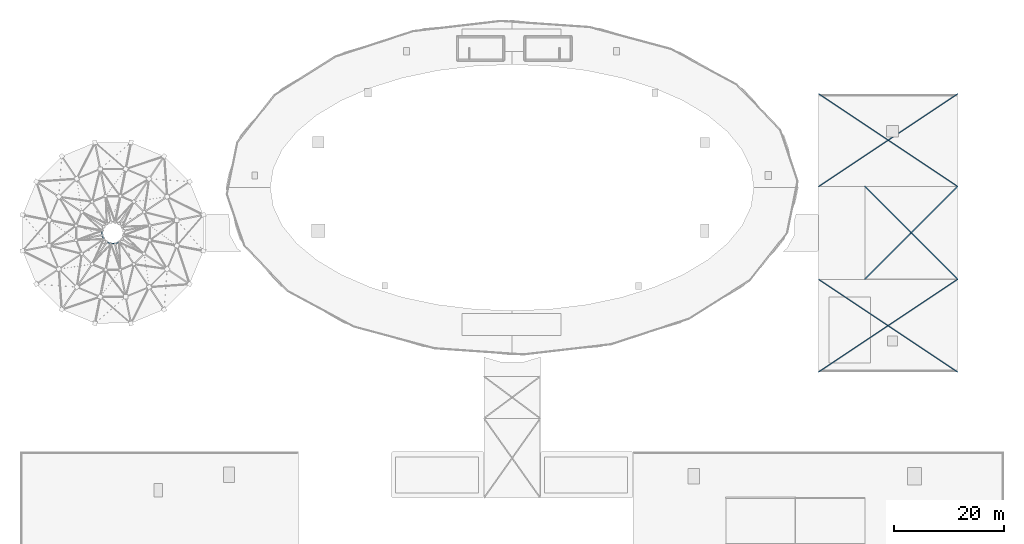
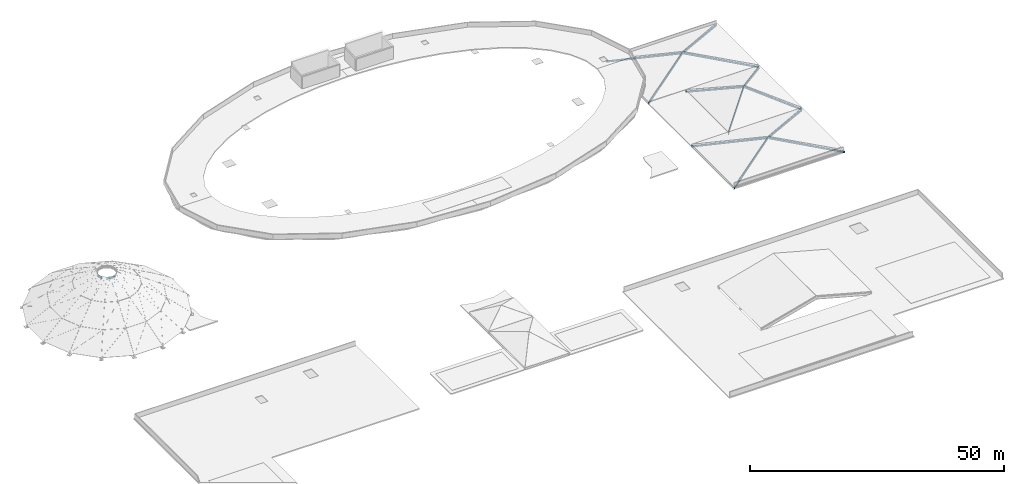
# One storey, part 4 of 11: 12 members, 5 beams.
"""IFC4 building model written with IfcOpenShell, lengths in metres."""

from ifc_helpers import new_model, si_unit, direction, frame, origin, origin_2d, place, context, subcontext, project, spatial, i_section, extrude, material, material_profile, profile_set, type_object, element, save


model = new_model("IFC4")

# Units and contexts
model_context = context("Model", 3, precision=1e-05, world=origin(), true_north=direction((0.0, 1.0)))
body_context = subcontext(model_context, "Body", "Model", "MODEL_VIEW")
ifc_project = project(units=[si_unit("LENGTHUNIT", "METRE"), si_unit("AREAUNIT", "SQUARE_METRE"), si_unit("VOLUMEUNIT", "CUBIC_METRE"), si_unit("PLANEANGLEUNIT", "RADIAN"), si_unit("MASSUNIT", "GRAM", prefix="KILO"), si_unit("THERMODYNAMICTEMPERATUREUNIT", "KELVIN"), si_unit("POWERUNIT", "WATT")], contexts=[model_context])

# Site, building, storey
site_placement = place(None, origin())
site = spatial("IfcSite", under=ifc_project, at=site_placement, CompositionType="ELEMENT")
building_placement = place(site_placement, origin())
building = spatial("IfcBuilding", under=site, at=building_placement, Name="Darbajah Civic Hall", CompositionType="ELEMENT")
storey_placement = place(building_placement, frame((0.0, 0.0, 30.60009765625)))
storey = spatial("IfcBuildingStorey", under=building, at=storey_placement, Name="ROOF", CompositionType="ELEMENT", Elevation=30.60009765625)

# Members
ifc_material = material(Name="Steel S355JR", Category="steel")
ifc_material_profile_1 = material_profile(ifc_material, i_section(OverallWidth=0.177978515625, OverallDepth=0.406494140625, WebThickness=0.0078125, FlangeThickness=0.0126953125, FilletRadius=0.01025390625, at=origin_2d()), Name="UB 406x178x60")
ifc_profile_set_1 = profile_set([ifc_material_profile_1], Name="Steel S355JR")
member_type = type_object("IfcMemberType", Name="Roof Rafter UB 406x178x60", PredefinedType="RAFTER", material=ifc_profile_set_1)
for number, where, z_axis, x_axis, name in (
    (1, (153.0, 73.199951171875, -12.72021484375), (0.681000274436, 0.681020067504, 0.269165922573), (-0.707117056885, 0.707096505339, 0.0), "Lantern hip roof rafter V4-MAIN-1"),
    (2, (169.800048828125, 73.199951171875, -12.72021484375), (-0.681010888029, 0.681010888029, 0.269162294484), (-0.707106781187, -0.707106781187, 0.0), "Lantern hip roof rafter V4-MAIN-2"),
    (3, (169.800048828125, 90.0, -12.72021484375), (-0.681020067504, -0.681000274436, 0.269165922573), (0.707096505339, -0.707117056885, 0.0), "Lantern hip roof rafter V4-MAIN-3"),
):
    element("IfcMember", number, at=place(storey_placement, frame(where, z_axis=z_axis, x_axis=x_axis)), inside=storey, type_object=member_type, Name=name, PredefinedType="RAFTER", context=body_context, shape_type="SweptSolid", body=[
        extrude(i_section(OverallWidth=0.177978515625, OverallDepth=0.406494140625, WebThickness=0.0078125, FlangeThickness=0.0126953125, FilletRadius=0.01025390625, at=origin_2d()), origin(), (0.0, 0.0, 1.0), 12.334716796875),
    ])
member_1_placement = place(storey_placement, frame((153.0, 90.0, -12.72021484375), z_axis=(0.681009454015, -0.681009454015, 0.26916955081), x_axis=(0.707106781187, 0.707106781187, 0.0)))
element("IfcMember", 4, at=member_1_placement, inside=storey, type_object=member_type, Name="Lantern hip roof rafter V4-MAIN-4", PredefinedType="RAFTER", context=body_context, shape_type="SweptSolid", body=[
    extrude(i_section(OverallWidth=0.177978515625, OverallDepth=0.406494140625, WebThickness=0.0078125, FlangeThickness=0.0126953125, FilletRadius=0.01025390625, at=origin_2d()), origin(), (0.0, 0.0, 1.0), 12.33447265625),
])
member_2_placement = place(storey_placement, frame((144.60009765625, 90.0, -12.72021484375), z_axis=(0.818942305462, 0.545961536975, 0.176803564639), x_axis=(-0.554700196225, 0.832050294338, 0.0)))
element("IfcMember", 5, at=member_2_placement, inside=storey, type_object=member_type, Name="Lantern hip roof rafter V4-NORTH-1", PredefinedType="RAFTER", context=body_context, shape_type="SweptSolid", body=[
    extrude(i_section(OverallWidth=0.177978515625, OverallDepth=0.406494140625, WebThickness=0.0078125, FlangeThickness=0.0126953125, FilletRadius=0.01025390625, at=origin_2d()), origin(), (0.0, 0.0, 1.0), 15.385498046875),
])
for number, where, z_axis, x_axis, name in (
    (6, (169.800048828125, 90.0, -12.72021484375), (-0.818947531292, 0.545954442194, 0.176801267073), (-0.55469275529, -0.832055254913, 0.0), "Lantern hip roof rafter V4-NORTH-2"),
    (7, (169.800048828125, 106.800048828125, -12.72021484375), (-0.81894043657, -0.545965580335, 0.176799735405), (0.554703916643, -0.832047814047, 0.0), "Lantern hip roof rafter V4-NORTH-3"),
    (8, (144.60009765625, 106.800048828125, -12.72021484375), (0.818935210601, -0.545972675137, 0.176802032911), (0.554711357594, 0.832042853317, 0.0), "Lantern hip roof rafter V4-NORTH-4"),
    (9, (144.60009765625, 56.39990234375, -12.72021484375), (0.818935210601, 0.545972675137, 0.176802032911), (-0.554711357594, 0.832042853317, 0.0), "Lantern hip roof rafter V4-SOUTH-1"),
    (10, (169.800048828125, 56.39990234375, -12.72021484375), (-0.81894043657, 0.545965580335, 0.176799735405), (-0.554703916643, -0.832047814047, 0.0), "Lantern hip roof rafter V4-SOUTH-2"),
    (11, (169.800048828125, 73.199951171875, -12.72021484375), (-0.818947531292, -0.545954442194, 0.176801267073), (0.55469275529, -0.832055254913, 0.0), "Lantern hip roof rafter V4-SOUTH-3"),
):
    element("IfcMember", number, at=place(storey_placement, frame(where, z_axis=z_axis, x_axis=x_axis)), inside=storey, type_object=member_type, Name=name, PredefinedType="RAFTER", context=body_context, shape_type="SweptSolid", body=[
        extrude(i_section(OverallWidth=0.177978515625, OverallDepth=0.406494140625, WebThickness=0.0078125, FlangeThickness=0.0126953125, FilletRadius=0.01025390625, at=origin_2d()), origin(), (0.0, 0.0, 1.0), 15.3857421875),
    ])
member_3_placement = place(storey_placement, frame((144.60009765625, 73.199951171875, -12.72021484375), z_axis=(0.818942305462, -0.545961536975, 0.176803564639), x_axis=(0.554700196225, 0.832050294338, 0.0)))
element("IfcMember", 12, at=member_3_placement, inside=storey, type_object=member_type, Name="Lantern hip roof rafter V4-SOUTH-4", PredefinedType="RAFTER", context=body_context, shape_type="SweptSolid", body=[
    extrude(i_section(OverallWidth=0.177978515625, OverallDepth=0.406494140625, WebThickness=0.0078125, FlangeThickness=0.0126953125, FilletRadius=0.01025390625, at=origin_2d()), origin(), (0.0, 0.0, 1.0), 15.385498046875),
])

# Beams
ifc_material_profile_2 = material_profile(ifc_material, i_section(OverallWidth=0.1904296875, OverallDepth=0.45703125, WebThickness=0.009033203125, FlangeThickness=0.014404296875, FilletRadius=0.01025390625, at=origin_2d()), Name="UB 457x191x74")
ifc_profile_set_2 = profile_set([ifc_material_profile_2], Name="Steel S355JR")
beam_type = type_object("IfcBeamType", Name="UB 457x191x74", PredefinedType="BEAM", material=ifc_profile_set_2)
for number, where, z_axis, x_axis, name in (
    (13, (14.83837890625, 81.97021484375, -3.400146484375), (0.0, -1.0, 0.0), (1.0, 0.0, 0.0), "Dome Crown Compression Ring segment 8"),
    (14, (14.84619140625, 81.19140625, -3.400146484375), (0.382507120164, -0.923952543707, 0.0), (0.923952543707, 0.382507120164, 0.0), "Dome Crown Compression Ring segment 9"),
):
    element("IfcBeam", number, at=place(storey_placement, frame(where, z_axis=z_axis, x_axis=x_axis)), inside=storey, type_object=beam_type, Name=name, PredefinedType="BEAM", context=body_context, shape_type="SweptSolid", body=[
        extrude(i_section(OverallWidth=0.1904296875, OverallDepth=0.45703125, WebThickness=0.009033203125, FlangeThickness=0.014404296875, FilletRadius=0.01025390625, at=origin_2d()), origin(), (0.0, 0.0, 1.0), 0.740478515625),
    ])
beam_1_placement = place(storey_placement, frame((15.70751953125, 79.929443359375, -3.400146484375), z_axis=(0.92378764376, -0.382905196146, 0.0), x_axis=(0.382905196146, 0.92378764376, 0.0)))
element("IfcBeam", 15, at=beam_1_placement, inside=storey, type_object=beam_type, Name="Dome Crown Compression Ring segment 11", PredefinedType="BEAM", context=body_context, shape_type="SweptSolid", body=[
    extrude(i_section(OverallWidth=0.1904296875, OverallDepth=0.45703125, WebThickness=0.009033203125, FlangeThickness=0.014404296875, FilletRadius=0.01025390625, at=origin_2d()), origin(), (0.0, 0.0, 1.0), 0.740234375),
])
beam_2_placement = place(storey_placement, frame((16.4296875, 79.638427734375, -3.400146484375), z_axis=(1.0, 0.0, 0.0), x_axis=(0.0, 1.0, 0.0)))
element("IfcBeam", 16, at=beam_2_placement, inside=storey, type_object=beam_type, Name="Dome Crown Compression Ring segment 12", PredefinedType="BEAM", context=body_context, shape_type="SweptSolid", body=[
    extrude(i_section(OverallWidth=0.1904296875, OverallDepth=0.45703125, WebThickness=0.009033203125, FlangeThickness=0.014404296875, FilletRadius=0.01025390625, at=origin_2d()), origin(), (0.0, 0.0, 1.0), 0.740478515625),
])
beam_3_placement = place(storey_placement, frame((17.208740234375, 79.64599609375, -3.400146484375), z_axis=(0.92378764376, 0.382905196146, 0.0), x_axis=(-0.382905196146, 0.92378764376, 0.0)))
element("IfcBeam", 17, at=beam_3_placement, inside=storey, type_object=beam_type, Name="Dome Crown Compression Ring segment 13", PredefinedType="BEAM", context=body_context, shape_type="SweptSolid", body=[
    extrude(i_section(OverallWidth=0.1904296875, OverallDepth=0.45703125, WebThickness=0.009033203125, FlangeThickness=0.014404296875, FilletRadius=0.01025390625, at=origin_2d()), origin(), (0.0, 0.0, 1.0), 0.740234375),
])

save(model, "model.ifc")
